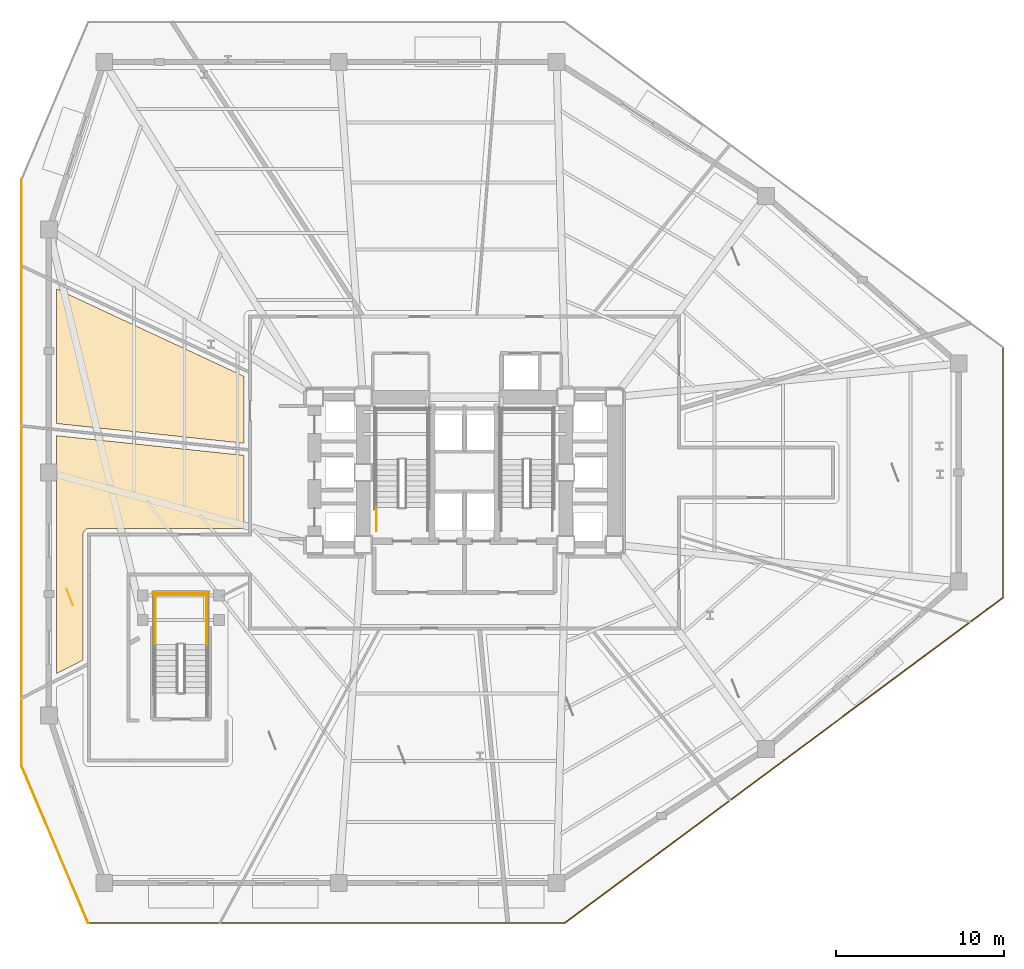
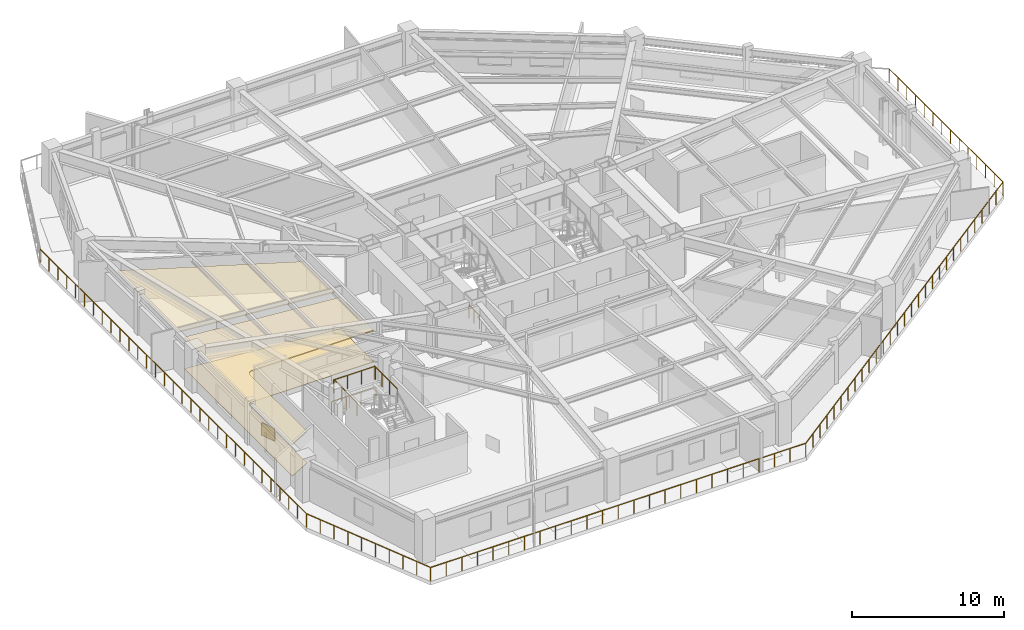
# One storey, part 8 of 10: 7 railings, 4 coverings.
"""IFC4 building model written with IfcOpenShell, lengths in metres."""

from ifc_helpers import new_model, si_unit, direction, frame, origin, origin_2d, place, context, subcontext, project, spatial, polyline, rectangle, outline, extrude, material, layer, layer_set, type_object, element, save


model = new_model("IFC4")

# Units and contexts
model_context = context("Model", 3, precision=1e-05, world=origin(), true_north=direction((0.0, 1.0)))
body_context = subcontext(model_context, "Body", "Model", "MODEL_VIEW")
ifc_project = project(units=[si_unit("LENGTHUNIT", "METRE"), si_unit("AREAUNIT", "SQUARE_METRE"), si_unit("VOLUMEUNIT", "CUBIC_METRE"), si_unit("PLANEANGLEUNIT", "RADIAN"), si_unit("MASSUNIT", "GRAM", prefix="KILO")], contexts=[model_context])

# Site, building, storey
site_placement = place(None, origin())
site = spatial("IfcSite", under=ifc_project, at=site_placement, CompositionType="ELEMENT")
building_placement = place(site_placement, origin())
building = spatial("IfcBuilding", under=site, at=building_placement, Name="Rocaltana Carrier Exchange", CompositionType="ELEMENT")
storey_placement = place(building_placement, frame((0.0, 0.0, 4.800048828125)))
storey = spatial("IfcBuildingStorey", under=building, at=storey_placement, Name="L02", CompositionType="ELEMENT", Elevation=4.800048828125)

# Coverings
ifc_material_1 = material(Name="Honed Bogota Sandstone Tile", Category="masonry")
ifc_layer_1 = layer(ifc_material_1, 0.0400390625)
ifc_layer_set_1 = layer_set([ifc_layer_1], Name="Honed Bogota Sandstone Tile")
covering_type_1 = type_object("IfcCoveringType", Name="Honed Stone Lobby Flooring 40", PredefinedType="FLOORING", material=ifc_layer_set_1)
covering_1_placement = place(storey_placement, origin())
element("IfcCovering", 1, at=covering_1_placement, inside=storey, type_object=covering_type_1, Name="L02 Carrier Peering Suite Finish Floor", PredefinedType="FLOORING", context=body_context, shape_type="SweptSolid", body=[
    extrude(outline(polyline([(-24.340087890625, 2.1962890625), (-13.159912109375, 1.021240234375), (-13.159912109375, -3.340087890625), (-22.39990234375, -3.340087890625), (-22.413818359375, -3.34033203125), (-22.421630859375, -3.3408203125), (-22.448974609375, -3.343505859375), (-22.456787109375, -3.344482421875), (-22.483642578125, -3.349853515625), (-22.4912109375, -3.351806640625), (-22.517578125, -3.35986328125), (-22.52490234375, -3.362548828125), (-22.55029296875, -3.373046875), (-22.557373046875, -3.376220703125), (-22.581787109375, -3.389404296875), (-22.58837890625, -3.393310546875), (-22.611083984375, -3.40869140625), (-22.617431640625, -3.413330078125), (-22.638916015625, -3.4306640625), (-22.64453125, -3.43603515625), (-22.6640625, -3.455322265625), (-22.669189453125, -3.461181640625), (-22.686767578125, -3.482421875), (-22.69140625, -3.48876953125), (-22.706787109375, -3.51171875), (-22.710693359375, -3.518310546875), (-22.7236328125, -3.54248046875), (-22.72705078125, -3.5498046875), (-22.737548828125, -3.5751953125), (-22.740234375, -3.58251953125), (-22.748291015625, -3.608642578125), (-22.75, -3.616455078125), (-22.75537109375, -3.643310546875), (-22.756591796875, -3.651123046875), (-22.75927734375, -3.678466796875), (-22.759765625, -3.686279296875), (-22.760009765625, -3.699951171875), (-22.760009765625, -11.19287109375), (-24.340087890625, -11.997802734375), (-24.340087890625, 2.1962890625)])), origin(), (0.0, 0.0, 1.0), 0.0400390625),
])
ifc_material_2 = material(Name="Anodised Aluminium 6063-T6", Category="aluminium")
ifc_layer_2 = layer(ifc_material_2, 0.0849609375)
ifc_layer_set_2 = layer_set([ifc_layer_2], Name="Anodised Aluminium 6063-T6")
covering_type_2 = type_object("IfcCoveringType", Name="Linear Baffle Acoustic Ceiling 85", PredefinedType="CEILING", material=ifc_layer_set_2)
covering_2_placement = place(storey_placement, frame((0.0, 0.0, 2.48291015625)))
element("IfcCovering", 2, at=covering_2_placement, inside=storey, type_object=covering_type_2, Name="L02 Carrier Peering Suite Acoustic Ceiling", PredefinedType="CEILING", context=body_context, shape_type="SweptSolid", body=[
    extrude(outline(polyline([(-24.340087890625, 2.1962890625), (-13.159912109375, 1.021240234375), (-13.159912109375, -3.340087890625), (-22.39990234375, -3.340087890625), (-22.413818359375, -3.34033203125), (-22.421630859375, -3.3408203125), (-22.448974609375, -3.343505859375), (-22.456787109375, -3.344482421875), (-22.483642578125, -3.349853515625), (-22.4912109375, -3.351806640625), (-22.517578125, -3.35986328125), (-22.52490234375, -3.362548828125), (-22.55029296875, -3.373046875), (-22.557373046875, -3.376220703125), (-22.581787109375, -3.389404296875), (-22.58837890625, -3.393310546875), (-22.611083984375, -3.40869140625), (-22.617431640625, -3.413330078125), (-22.638916015625, -3.4306640625), (-22.64453125, -3.43603515625), (-22.6640625, -3.455322265625), (-22.669189453125, -3.461181640625), (-22.686767578125, -3.482421875), (-22.69140625, -3.48876953125), (-22.706787109375, -3.51171875), (-22.710693359375, -3.518310546875), (-22.7236328125, -3.54248046875), (-22.72705078125, -3.5498046875), (-22.737548828125, -3.5751953125), (-22.740234375, -3.58251953125), (-22.748291015625, -3.608642578125), (-22.75, -3.616455078125), (-22.75537109375, -3.643310546875), (-22.756591796875, -3.651123046875), (-22.75927734375, -3.678466796875), (-22.759765625, -3.686279296875), (-22.760009765625, -3.699951171875), (-22.760009765625, -11.19287109375), (-24.340087890625, -11.997802734375), (-24.340087890625, 2.1962890625)])), origin(), (0.0, 0.0, 1.0), 0.0849609375),
])
covering_3_placement = place(storey_placement, frame((0.0, 0.0, 2.48291015625)))
element("IfcCovering", 3, at=covering_3_placement, inside=storey, type_object=covering_type_2, Name="L02 Carrier Peering Suite Acoustic Ceiling", PredefinedType="CEILING", context=body_context, shape_type="SweptSolid", body=[
    extrude(outline(polyline([(-24.340087890625, 10.95263671875), (-13.159912109375, 5.739501953125), (-13.159912109375, 1.7451171875), (-24.340087890625, 2.920166015625), (-24.340087890625, 10.95263671875)])), origin(), (0.0, 0.0, 1.0), 0.0849609375),
])

# Railings
ifc_material_3 = material(Name="Powder-Coated Aluminium 6063-T6", Category="aluminium")
ifc_layer_3 = layer(ifc_material_3, 0.048095703125)
ifc_layer_set_3 = layer_set([ifc_layer_3], Name="Powder-Coated Aluminium 6063-T6")
railing_type_1 = type_object("IfcRailingType", Name="Stair Well Guardrail 1100", PredefinedType="GUARDRAIL", material=ifc_layer_set_3)
railing_1_placement = place(storey_placement, frame((-5.25, -3.5, 0.0)))
element("IfcRailing", 4, at=railing_1_placement, inside=storey, type_object=railing_type_1, Name="L02 ST-1 stair guard 9", PredefinedType="GUARDRAIL", context=body_context, shape_type="SweptSolid", body=[
    extrude(rectangle(XDim=0.048095703125, YDim=0.048095703125, at=origin_2d()), frame((0.0, 0.0, 1.076171875), z_axis=(0.0, 1.0, 0.0), x_axis=(-1.0, 0.0, 0.0)), (0.0, 0.0, 1.0), 1.39990234375),
    extrude(rectangle(XDim=0.0419921875, YDim=0.0419921875, at=origin_2d()), origin(), (0.0, 0.0, 1.0), 1.052001953125),
    extrude(rectangle(XDim=0.0419921875, YDim=0.0419921875, at=origin_2d()), frame((0.0, 0.699951171875, 0.0)), (0.0, 0.0, 1.0), 1.052001953125),
    extrude(rectangle(XDim=0.0419921875, YDim=0.0419921875, at=origin_2d()), frame((0.0, 1.39990234375, 0.0)), (0.0, 0.0, 1.0), 1.052001953125),
])
for number, where, name in (
    (5, (-15.389892578125, -10.27001953125, 1.760009765625), "L02 ST-3 stair guard 3"),
    (6, (-18.449951171875, -10.27001953125, 1.760009765625), "L02 ST-3 stair guard 4"),
):
    element("IfcRailing", number, at=place(storey_placement, frame(where)), inside=storey, type_object=railing_type_1, Name=name, PredefinedType="GUARDRAIL", context=body_context, shape_type="SweptSolid", body=[
        extrude(rectangle(XDim=0.048095703125, YDim=0.048095703125, at=origin_2d()), frame((0.0, 0.0, 1.076171875), z_axis=(0.0, 1.0, 0.0), x_axis=(-1.0, 0.0, 0.0)), (0.0, 0.0, 1.0), 3.02001953125),
        extrude(rectangle(XDim=0.0419921875, YDim=0.0419921875, at=origin_2d()), origin(), (0.0, 0.0, 1.0), 1.052001953125),
        extrude(rectangle(XDim=0.0419921875, YDim=0.0419921875, at=origin_2d()), frame((0.0, 1.006591796875, 0.0)), (0.0, 0.0, 1.0), 1.052001953125),
        extrude(rectangle(XDim=0.0419921875, YDim=0.0419921875, at=origin_2d()), frame((0.0, 2.013427734375, 0.0)), (0.0, 0.0, 1.0), 1.052001953125),
        extrude(rectangle(XDim=0.0419921875, YDim=0.0419921875, at=origin_2d()), frame((0.0, 3.02001953125, 0.0)), (0.0, 0.0, 1.0), 1.052001953125),
    ])
railing_2_placement = place(storey_placement, frame((-15.340087890625, -7.300048828125, 1.760009765625)))
element("IfcRailing", 7, at=railing_2_placement, inside=storey, type_object=railing_type_1, Name="L02 ST-3 stair guard 5", PredefinedType="GUARDRAIL", context=body_context, shape_type="SweptSolid", body=[
    extrude(rectangle(XDim=0.048095703125, YDim=0.048095703125, at=origin_2d()), frame((0.0, 0.0, 1.076171875), z_axis=(-1.0, 0.0, 0.0), x_axis=(0.0, -1.0, 0.0)), (0.0, 0.0, 1.0), 3.159912109375),
    extrude(rectangle(XDim=0.0419921875, YDim=0.0419921875, at=origin_2d()), origin(), (0.0, 0.0, 1.0), 1.052001953125),
    extrude(rectangle(XDim=0.0419921875, YDim=0.0419921875, at=origin_2d()), frame((-1.05322265625, 0.0, 0.0)), (0.0, 0.0, 1.0), 1.052001953125),
    extrude(rectangle(XDim=0.0419921875, YDim=0.0419921875, at=origin_2d()), frame((-2.106689453125, 0.0, 0.0)), (0.0, 0.0, 1.0), 1.052001953125),
    extrude(rectangle(XDim=0.0419921875, YDim=0.0419921875, at=origin_2d()), frame((-3.159912109375, 0.0, 0.0)), (0.0, 0.0, 1.0), 1.052001953125),
])
railing_3_placement = place(storey_placement, frame((-15.239990234375, -7.199951171875, 0.0)))
element("IfcRailing", 8, at=railing_3_placement, inside=storey, type_object=railing_type_1, Name="L02 ST-3 stair guard 12", PredefinedType="GUARDRAIL", context=body_context, shape_type="SweptSolid", body=[
    extrude(rectangle(XDim=0.048095703125, YDim=0.048095703125, at=origin_2d()), frame((0.0, 0.0, 1.076171875), z_axis=(-1.0, 0.0, 0.0), x_axis=(0.0, -1.0, 0.0)), (0.0, 0.0, 1.0), 3.360107421875),
    extrude(rectangle(XDim=0.0419921875, YDim=0.0419921875, at=origin_2d()), origin(), (0.0, 0.0, 1.0), 1.052001953125),
    extrude(rectangle(XDim=0.0419921875, YDim=0.0419921875, at=origin_2d()), frame((-1.1201171875, 0.0, 0.0)), (0.0, 0.0, 1.0), 1.052001953125),
    extrude(rectangle(XDim=0.0419921875, YDim=0.0419921875, at=origin_2d()), frame((-2.239990234375, 0.0, 0.0)), (0.0, 0.0, 1.0), 1.052001953125),
    extrude(rectangle(XDim=0.0419921875, YDim=0.0419921875, at=origin_2d()), frame((-3.360107421875, 0.0, 0.0)), (0.0, 0.0, 1.0), 1.052001953125),
])

# Covering
ifc_material_4 = material(Name="Honed Piedra Muneca Sandstone", Category="masonry")
ifc_layer_4 = layer(ifc_material_4, 0.034912109375)
ifc_layer_set_4 = layer_set([ifc_layer_4], Name="Honed Piedra Muneca Sandstone")
covering_type_3 = type_object("IfcCoveringType", Name="Stone Facade Cladding 35", PredefinedType="CLADDING", material=ifc_layer_set_4)
covering_4_placement = place(storey_placement, frame((-23.550048828125, -7.4462890625, 0.0), z_axis=(0.0, 0.0, 1.0), x_axis=(-0.358367949545, 0.933580426497, 0.0)))
element("IfcCovering", 9, at=covering_4_placement, inside=storey, type_object=covering_type_3, Name="L02 Stone Facade Cladding Panel 1", PredefinedType="CLADDING", context=body_context, shape_type="SweptSolid", body=[
    extrude(rectangle(XDim=1.10009765625, YDim=0.034912109375, at=origin_2d()), origin(), (0.0, 0.0, 1.0), 1.050048828125),
])

# Railings
ifc_material_5 = material(Name="Powder-Coated Aluminium 6063-T6", Category="aluminium")
ifc_layer_5 = layer(ifc_material_5, 0.06005859375)
ifc_layer_set_5 = layer_set([ifc_layer_5], Name="Powder-Coated Aluminium 6063-T6")
railing_type_2 = type_object("IfcRailingType", Name="Wind-Floor & Terrace Perimeter Guardrail 1100", PredefinedType="GUARDRAIL", material=ifc_layer_set_5)
railing_4_placement = place(storey_placement, frame((-22.460205078125, -26.889892578125, 0.0)))
element("IfcRailing", 10, at=railing_4_placement, inside=storey, type_object=railing_type_2, Name="L02 Perimeter Balcony Guardrail 1", PredefinedType="GUARDRAIL", context=body_context, shape_type="SweptSolid", body=[
    extrude(rectangle(XDim=0.048095703125, YDim=0.048095703125, at=origin_2d()), frame((0.0, 0.0, 1.076171875), z_axis=(-0.389799902601, 0.920899579722, 0.0), x_axis=(-0.920899579722, -0.389799902601, 0.0)), (0.0, 0.0, 1.0), 10.209716796875),
    extrude(rectangle(XDim=0.048095703125, YDim=0.048095703125, at=origin_2d()), frame((-3.979736328125, 9.402099609375, 1.076171875), z_axis=(0.0, 1.0, 0.0), x_axis=(-1.0, 0.0, 0.0)), (0.0, 0.0, 1.0), 34.9755859375),
    extrude(rectangle(XDim=0.0419921875, YDim=0.0419921875, at=origin_2d()), origin(), (0.0, 0.0, 1.0), 1.052001953125),
    extrude(rectangle(XDim=0.0419921875, YDim=0.0419921875, at=origin_2d()), frame((-0.442138671875, 1.044677734375, 0.0)), (0.0, 0.0, 1.0), 1.052001953125),
    extrude(rectangle(XDim=0.0419921875, YDim=0.0419921875, at=origin_2d()), frame((-0.88427734375, 2.08935546875, 0.0)), (0.0, 0.0, 1.0), 1.052001953125),
    extrude(rectangle(XDim=0.0419921875, YDim=0.0419921875, at=origin_2d()), frame((-1.32666015625, 3.134033203125, 0.0)), (0.0, 0.0, 1.0), 1.052001953125),
    extrude(rectangle(XDim=0.0419921875, YDim=0.0419921875, at=origin_2d()), frame((-1.768798828125, 4.1787109375, 0.0)), (0.0, 0.0, 1.0), 1.052001953125),
    extrude(rectangle(XDim=0.0419921875, YDim=0.0419921875, at=origin_2d()), frame((-2.2109375, 5.223388671875, 0.0)), (0.0, 0.0, 1.0), 1.052001953125),
    extrude(rectangle(XDim=0.0419921875, YDim=0.0419921875, at=origin_2d()), frame((-2.653076171875, 6.26806640625, 0.0)), (0.0, 0.0, 1.0), 1.052001953125),
    extrude(rectangle(XDim=0.0419921875, YDim=0.0419921875, at=origin_2d()), frame((-3.095458984375, 7.312744140625, 0.0)), (0.0, 0.0, 1.0), 1.052001953125),
    extrude(rectangle(XDim=0.0419921875, YDim=0.0419921875, at=origin_2d()), frame((-3.53759765625, 8.357421875, 0.0)), (0.0, 0.0, 1.0), 1.052001953125),
    extrude(rectangle(XDim=0.0419921875, YDim=0.0419921875, at=origin_2d()), frame((-3.979736328125, 9.402099609375, 0.0)), (0.0, 0.0, 1.0), 1.052001953125),
    extrude(rectangle(XDim=0.0419921875, YDim=0.0419921875, at=origin_2d()), frame((-3.979736328125, 10.56787109375, 0.0)), (0.0, 0.0, 1.0), 1.052001953125),
    extrude(rectangle(XDim=0.0419921875, YDim=0.0419921875, at=origin_2d()), frame((-3.979736328125, 11.73388671875, 0.0)), (0.0, 0.0, 1.0), 1.052001953125),
    extrude(rectangle(XDim=0.0419921875, YDim=0.0419921875, at=origin_2d()), frame((-3.979736328125, 12.899658203125, 0.0)), (0.0, 0.0, 1.0), 1.052001953125),
    extrude(rectangle(XDim=0.0419921875, YDim=0.0419921875, at=origin_2d()), frame((-3.979736328125, 14.0654296875, 0.0)), (0.0, 0.0, 1.0), 1.052001953125),
    extrude(rectangle(XDim=0.0419921875, YDim=0.0419921875, at=origin_2d()), frame((-3.979736328125, 15.2314453125, 0.0)), (0.0, 0.0, 1.0), 1.052001953125),
    extrude(rectangle(XDim=0.0419921875, YDim=0.0419921875, at=origin_2d()), frame((-3.979736328125, 16.397216796875, 0.0)), (0.0, 0.0, 1.0), 1.052001953125),
    extrude(rectangle(XDim=0.0419921875, YDim=0.0419921875, at=origin_2d()), frame((-3.979736328125, 17.56298828125, 0.0)), (0.0, 0.0, 1.0), 1.052001953125),
    extrude(rectangle(XDim=0.0419921875, YDim=0.0419921875, at=origin_2d()), frame((-3.979736328125, 18.72900390625, 0.0)), (0.0, 0.0, 1.0), 1.052001953125),
    extrude(rectangle(XDim=0.0419921875, YDim=0.0419921875, at=origin_2d()), frame((-3.979736328125, 19.894775390625, 0.0)), (0.0, 0.0, 1.0), 1.052001953125),
    extrude(rectangle(XDim=0.0419921875, YDim=0.0419921875, at=origin_2d()), frame((-3.979736328125, 21.060546875, 0.0)), (0.0, 0.0, 1.0), 1.052001953125),
    extrude(rectangle(XDim=0.0419921875, YDim=0.0419921875, at=origin_2d()), frame((-3.979736328125, 22.2265625, 0.0)), (0.0, 0.0, 1.0), 1.052001953125),
    extrude(rectangle(XDim=0.0419921875, YDim=0.0419921875, at=origin_2d()), frame((-3.979736328125, 23.392333984375, 0.0)), (0.0, 0.0, 1.0), 1.052001953125),
    extrude(rectangle(XDim=0.0419921875, YDim=0.0419921875, at=origin_2d()), frame((-3.979736328125, 24.55810546875, 0.0)), (0.0, 0.0, 1.0), 1.052001953125),
    extrude(rectangle(XDim=0.0419921875, YDim=0.0419921875, at=origin_2d()), frame((-3.979736328125, 25.72412109375, 0.0)), (0.0, 0.0, 1.0), 1.052001953125),
    extrude(rectangle(XDim=0.0419921875, YDim=0.0419921875, at=origin_2d()), frame((-3.979736328125, 26.889892578125, 0.0)), (0.0, 0.0, 1.0), 1.052001953125),
    extrude(rectangle(XDim=0.0419921875, YDim=0.0419921875, at=origin_2d()), frame((-3.979736328125, 28.0556640625, 0.0)), (0.0, 0.0, 1.0), 1.052001953125),
    extrude(rectangle(XDim=0.0419921875, YDim=0.0419921875, at=origin_2d()), frame((-3.979736328125, 29.2216796875, 0.0)), (0.0, 0.0, 1.0), 1.052001953125),
    extrude(rectangle(XDim=0.0419921875, YDim=0.0419921875, at=origin_2d()), frame((-3.979736328125, 30.387451171875, 0.0)), (0.0, 0.0, 1.0), 1.052001953125),
    extrude(rectangle(XDim=0.0419921875, YDim=0.0419921875, at=origin_2d()), frame((-3.979736328125, 31.55322265625, 0.0)), (0.0, 0.0, 1.0), 1.052001953125),
    extrude(rectangle(XDim=0.0419921875, YDim=0.0419921875, at=origin_2d()), frame((-3.979736328125, 32.71923828125, 0.0)), (0.0, 0.0, 1.0), 1.052001953125),
    extrude(rectangle(XDim=0.0419921875, YDim=0.0419921875, at=origin_2d()), frame((-3.979736328125, 33.885009765625, 0.0)), (0.0, 0.0, 1.0), 1.052001953125),
    extrude(rectangle(XDim=0.0419921875, YDim=0.0419921875, at=origin_2d()), frame((-3.979736328125, 35.05078125, 0.0)), (0.0, 0.0, 1.0), 1.052001953125),
    extrude(rectangle(XDim=0.0419921875, YDim=0.0419921875, at=origin_2d()), frame((-3.979736328125, 36.216796875, 0.0)), (0.0, 0.0, 1.0), 1.052001953125),
    extrude(rectangle(XDim=0.0419921875, YDim=0.0419921875, at=origin_2d()), frame((-3.979736328125, 37.382568359375, 0.0)), (0.0, 0.0, 1.0), 1.052001953125),
    extrude(rectangle(XDim=0.0419921875, YDim=0.0419921875, at=origin_2d()), frame((-3.979736328125, 38.54833984375, 0.0)), (0.0, 0.0, 1.0), 1.052001953125),
    extrude(rectangle(XDim=0.0419921875, YDim=0.0419921875, at=origin_2d()), frame((-3.979736328125, 39.71435546875, 0.0)), (0.0, 0.0, 1.0), 1.052001953125),
    extrude(rectangle(XDim=0.0419921875, YDim=0.0419921875, at=origin_2d()), frame((-3.979736328125, 40.880126953125, 0.0)), (0.0, 0.0, 1.0), 1.052001953125),
    extrude(rectangle(XDim=0.0419921875, YDim=0.0419921875, at=origin_2d()), frame((-3.979736328125, 42.0458984375, 0.0)), (0.0, 0.0, 1.0), 1.052001953125),
    extrude(rectangle(XDim=0.0419921875, YDim=0.0419921875, at=origin_2d()), frame((-3.979736328125, 43.2119140625, 0.0)), (0.0, 0.0, 1.0), 1.052001953125),
    extrude(rectangle(XDim=0.0419921875, YDim=0.0419921875, at=origin_2d()), frame((-3.979736328125, 44.377685546875, 0.0)), (0.0, 0.0, 1.0), 1.052001953125),
])
railing_5_placement = place(storey_placement, frame((32.139892578125, 7.4697265625, 0.0)))
element("IfcRailing", 11, at=railing_5_placement, inside=storey, type_object=railing_type_2, Name="L02 Perimeter Balcony Guardrail 3", PredefinedType="GUARDRAIL", context=body_context, shape_type="SweptSolid", body=[
    extrude(rectangle(XDim=0.048095703125, YDim=0.048095703125, at=origin_2d()), frame((0.0, 0.0, 1.076171875), z_axis=(0.0, -1.0, 0.0), x_axis=(1.0, 0.0, 0.0)), (0.0, 0.0, 1.0), 14.939453125),
    extrude(rectangle(XDim=0.048095703125, YDim=0.048095703125, at=origin_2d()), frame((0.0, -14.939453125, 1.076171875), z_axis=(-0.802930850868, -0.596072184156, 0.0), x_axis=(0.596072184156, -0.802930850868, 0.0)), (0.0, 0.0, 1.0), 32.580322265625),
    extrude(rectangle(XDim=0.048095703125, YDim=0.048095703125, at=origin_2d()), frame((-26.15966796875, -34.359619140625, 1.076171875), z_axis=(-1.0, 0.0, 0.0), x_axis=(0.0, -1.0, 0.0)), (0.0, 0.0, 1.0), 28.4404296875),
    extrude(rectangle(XDim=0.0419921875, YDim=0.0419921875, at=origin_2d()), origin(), (0.0, 0.0, 1.0), 1.052001953125),
    extrude(rectangle(XDim=0.0419921875, YDim=0.0419921875, at=origin_2d()), frame((0.0, -1.149169921875, 0.0)), (0.0, 0.0, 1.0), 1.052001953125),
    extrude(rectangle(XDim=0.0419921875, YDim=0.0419921875, at=origin_2d()), frame((0.0, -2.29833984375, 0.0)), (0.0, 0.0, 1.0), 1.052001953125),
    extrude(rectangle(XDim=0.0419921875, YDim=0.0419921875, at=origin_2d()), frame((0.0, -3.447509765625, 0.0)), (0.0, 0.0, 1.0), 1.052001953125),
    extrude(rectangle(XDim=0.0419921875, YDim=0.0419921875, at=origin_2d()), frame((0.0, -4.5966796875, 0.0)), (0.0, 0.0, 1.0), 1.052001953125),
    extrude(rectangle(XDim=0.0419921875, YDim=0.0419921875, at=origin_2d()), frame((0.0, -5.745849609375, 0.0)), (0.0, 0.0, 1.0), 1.052001953125),
    extrude(rectangle(XDim=0.0419921875, YDim=0.0419921875, at=origin_2d()), frame((0.0, -6.89501953125, 0.0)), (0.0, 0.0, 1.0), 1.052001953125),
    extrude(rectangle(XDim=0.0419921875, YDim=0.0419921875, at=origin_2d()), frame((0.0, -8.04443359375, 0.0)), (0.0, 0.0, 1.0), 1.052001953125),
    extrude(rectangle(XDim=0.0419921875, YDim=0.0419921875, at=origin_2d()), frame((0.0, -9.193603515625, 0.0)), (0.0, 0.0, 1.0), 1.052001953125),
    extrude(rectangle(XDim=0.0419921875, YDim=0.0419921875, at=origin_2d()), frame((0.0, -10.3427734375, 0.0)), (0.0, 0.0, 1.0), 1.052001953125),
    extrude(rectangle(XDim=0.0419921875, YDim=0.0419921875, at=origin_2d()), frame((0.0, -11.491943359375, 0.0)), (0.0, 0.0, 1.0), 1.052001953125),
    extrude(rectangle(XDim=0.0419921875, YDim=0.0419921875, at=origin_2d()), frame((0.0, -12.64111328125, 0.0)), (0.0, 0.0, 1.0), 1.052001953125),
    extrude(rectangle(XDim=0.0419921875, YDim=0.0419921875, at=origin_2d()), frame((0.0, -13.790283203125, 0.0)), (0.0, 0.0, 1.0), 1.052001953125),
    extrude(rectangle(XDim=0.0419921875, YDim=0.0419921875, at=origin_2d()), frame((0.0, -14.939453125, 0.0)), (0.0, 0.0, 1.0), 1.052001953125),
    extrude(rectangle(XDim=0.0419921875, YDim=0.0419921875, at=origin_2d()), frame((-0.934326171875, -15.633056640625, 0.0)), (0.0, 0.0, 1.0), 1.052001953125),
    extrude(rectangle(XDim=0.0419921875, YDim=0.0419921875, at=origin_2d()), frame((-1.86865234375, -16.32666015625, 0.0)), (0.0, 0.0, 1.0), 1.052001953125),
    extrude(rectangle(XDim=0.0419921875, YDim=0.0419921875, at=origin_2d()), frame((-2.802734375, -17.020263671875, 0.0)), (0.0, 0.0, 1.0), 1.052001953125),
    extrude(rectangle(XDim=0.0419921875, YDim=0.0419921875, at=origin_2d()), frame((-3.737060546875, -17.7138671875, 0.0)), (0.0, 0.0, 1.0), 1.052001953125),
    extrude(rectangle(XDim=0.0419921875, YDim=0.0419921875, at=origin_2d()), frame((-4.67138671875, -18.4072265625, 0.0)), (0.0, 0.0, 1.0), 1.052001953125),
    extrude(rectangle(XDim=0.0419921875, YDim=0.0419921875, at=origin_2d()), frame((-5.605712890625, -19.100830078125, 0.0)), (0.0, 0.0, 1.0), 1.052001953125),
    extrude(rectangle(XDim=0.0419921875, YDim=0.0419921875, at=origin_2d()), frame((-6.5400390625, -19.79443359375, 0.0)), (0.0, 0.0, 1.0), 1.052001953125),
    extrude(rectangle(XDim=0.0419921875, YDim=0.0419921875, at=origin_2d()), frame((-7.47412109375, -20.488037109375, 0.0)), (0.0, 0.0, 1.0), 1.052001953125),
    extrude(rectangle(XDim=0.0419921875, YDim=0.0419921875, at=origin_2d()), frame((-8.408447265625, -21.181640625, 0.0)), (0.0, 0.0, 1.0), 1.052001953125),
    extrude(rectangle(XDim=0.0419921875, YDim=0.0419921875, at=origin_2d()), frame((-9.3427734375, -21.875244140625, 0.0)), (0.0, 0.0, 1.0), 1.052001953125),
    extrude(rectangle(XDim=0.0419921875, YDim=0.0419921875, at=origin_2d()), frame((-10.277099609375, -22.56884765625, 0.0)), (0.0, 0.0, 1.0), 1.052001953125),
    extrude(rectangle(XDim=0.0419921875, YDim=0.0419921875, at=origin_2d()), frame((-11.211181640625, -23.262451171875, 0.0)), (0.0, 0.0, 1.0), 1.052001953125),
    extrude(rectangle(XDim=0.0419921875, YDim=0.0419921875, at=origin_2d()), frame((-12.1455078125, -23.9560546875, 0.0)), (0.0, 0.0, 1.0), 1.052001953125),
    extrude(rectangle(XDim=0.0419921875, YDim=0.0419921875, at=origin_2d()), frame((-13.079833984375, -24.6494140625, 0.0)), (0.0, 0.0, 1.0), 1.052001953125),
    extrude(rectangle(XDim=0.0419921875, YDim=0.0419921875, at=origin_2d()), frame((-14.01416015625, -25.343017578125, 0.0)), (0.0, 0.0, 1.0), 1.052001953125),
    extrude(rectangle(XDim=0.0419921875, YDim=0.0419921875, at=origin_2d()), frame((-14.948486328125, -26.03662109375, 0.0)), (0.0, 0.0, 1.0), 1.052001953125),
    extrude(rectangle(XDim=0.0419921875, YDim=0.0419921875, at=origin_2d()), frame((-15.882568359375, -26.730224609375, 0.0)), (0.0, 0.0, 1.0), 1.052001953125),
    extrude(rectangle(XDim=0.0419921875, YDim=0.0419921875, at=origin_2d()), frame((-16.81689453125, -27.423828125, 0.0)), (0.0, 0.0, 1.0), 1.052001953125),
    extrude(rectangle(XDim=0.0419921875, YDim=0.0419921875, at=origin_2d()), frame((-17.751220703125, -28.117431640625, 0.0)), (0.0, 0.0, 1.0), 1.052001953125),
    extrude(rectangle(XDim=0.0419921875, YDim=0.0419921875, at=origin_2d()), frame((-18.685546875, -28.81103515625, 0.0)), (0.0, 0.0, 1.0), 1.052001953125),
    extrude(rectangle(XDim=0.0419921875, YDim=0.0419921875, at=origin_2d()), frame((-19.61962890625, -29.504638671875, 0.0)), (0.0, 0.0, 1.0), 1.052001953125),
    extrude(rectangle(XDim=0.0419921875, YDim=0.0419921875, at=origin_2d()), frame((-20.553955078125, -30.1982421875, 0.0)), (0.0, 0.0, 1.0), 1.052001953125),
    extrude(rectangle(XDim=0.0419921875, YDim=0.0419921875, at=origin_2d()), frame((-21.48828125, -30.891845703125, 0.0)), (0.0, 0.0, 1.0), 1.052001953125),
    extrude(rectangle(XDim=0.0419921875, YDim=0.0419921875, at=origin_2d()), frame((-22.422607421875, -31.585205078125, 0.0)), (0.0, 0.0, 1.0), 1.052001953125),
    extrude(rectangle(XDim=0.0419921875, YDim=0.0419921875, at=origin_2d()), frame((-23.35693359375, -32.27880859375, 0.0)), (0.0, 0.0, 1.0), 1.052001953125),
    extrude(rectangle(XDim=0.0419921875, YDim=0.0419921875, at=origin_2d()), frame((-24.291015625, -32.972412109375, 0.0)), (0.0, 0.0, 1.0), 1.052001953125),
    extrude(rectangle(XDim=0.0419921875, YDim=0.0419921875, at=origin_2d()), frame((-25.225341796875, -33.666015625, 0.0)), (0.0, 0.0, 1.0), 1.052001953125),
    extrude(rectangle(XDim=0.0419921875, YDim=0.0419921875, at=origin_2d()), frame((-26.15966796875, -34.359619140625, 0.0)), (0.0, 0.0, 1.0), 1.052001953125),
    extrude(rectangle(XDim=0.0419921875, YDim=0.0419921875, at=origin_2d()), frame((-27.3447265625, -34.359619140625, 0.0)), (0.0, 0.0, 1.0), 1.052001953125),
    extrude(rectangle(XDim=0.0419921875, YDim=0.0419921875, at=origin_2d()), frame((-28.52978515625, -34.359619140625, 0.0)), (0.0, 0.0, 1.0), 1.052001953125),
    extrude(rectangle(XDim=0.0419921875, YDim=0.0419921875, at=origin_2d()), frame((-29.71484375, -34.359619140625, 0.0)), (0.0, 0.0, 1.0), 1.052001953125),
    extrude(rectangle(XDim=0.0419921875, YDim=0.0419921875, at=origin_2d()), frame((-30.899658203125, -34.359619140625, 0.0)), (0.0, 0.0, 1.0), 1.052001953125),
    extrude(rectangle(XDim=0.0419921875, YDim=0.0419921875, at=origin_2d()), frame((-32.084716796875, -34.359619140625, 0.0)), (0.0, 0.0, 1.0), 1.052001953125),
    extrude(rectangle(XDim=0.0419921875, YDim=0.0419921875, at=origin_2d()), frame((-33.269775390625, -34.359619140625, 0.0)), (0.0, 0.0, 1.0), 1.052001953125),
    extrude(rectangle(XDim=0.0419921875, YDim=0.0419921875, at=origin_2d()), frame((-34.454833984375, -34.359619140625, 0.0)), (0.0, 0.0, 1.0), 1.052001953125),
    extrude(rectangle(XDim=0.0419921875, YDim=0.0419921875, at=origin_2d()), frame((-35.639892578125, -34.359619140625, 0.0)), (0.0, 0.0, 1.0), 1.052001953125),
    extrude(rectangle(XDim=0.0419921875, YDim=0.0419921875, at=origin_2d()), frame((-36.82470703125, -34.359619140625, 0.0)), (0.0, 0.0, 1.0), 1.052001953125),
    extrude(rectangle(XDim=0.0419921875, YDim=0.0419921875, at=origin_2d()), frame((-38.009765625, -34.359619140625, 0.0)), (0.0, 0.0, 1.0), 1.052001953125),
    extrude(rectangle(XDim=0.0419921875, YDim=0.0419921875, at=origin_2d()), frame((-39.19482421875, -34.359619140625, 0.0)), (0.0, 0.0, 1.0), 1.052001953125),
    extrude(rectangle(XDim=0.0419921875, YDim=0.0419921875, at=origin_2d()), frame((-40.3798828125, -34.359619140625, 0.0)), (0.0, 0.0, 1.0), 1.052001953125),
    extrude(rectangle(XDim=0.0419921875, YDim=0.0419921875, at=origin_2d()), frame((-41.56494140625, -34.359619140625, 0.0)), (0.0, 0.0, 1.0), 1.052001953125),
    extrude(rectangle(XDim=0.0419921875, YDim=0.0419921875, at=origin_2d()), frame((-42.75, -34.359619140625, 0.0)), (0.0, 0.0, 1.0), 1.052001953125),
    extrude(rectangle(XDim=0.0419921875, YDim=0.0419921875, at=origin_2d()), frame((-43.93505859375, -34.359619140625, 0.0)), (0.0, 0.0, 1.0), 1.052001953125),
    extrude(rectangle(XDim=0.0419921875, YDim=0.0419921875, at=origin_2d()), frame((-45.119873046875, -34.359619140625, 0.0)), (0.0, 0.0, 1.0), 1.052001953125),
    extrude(rectangle(XDim=0.0419921875, YDim=0.0419921875, at=origin_2d()), frame((-46.304931640625, -34.359619140625, 0.0)), (0.0, 0.0, 1.0), 1.052001953125),
    extrude(rectangle(XDim=0.0419921875, YDim=0.0419921875, at=origin_2d()), frame((-47.489990234375, -34.359619140625, 0.0)), (0.0, 0.0, 1.0), 1.052001953125),
    extrude(rectangle(XDim=0.0419921875, YDim=0.0419921875, at=origin_2d()), frame((-48.675048828125, -34.359619140625, 0.0)), (0.0, 0.0, 1.0), 1.052001953125),
    extrude(rectangle(XDim=0.0419921875, YDim=0.0419921875, at=origin_2d()), frame((-49.860107421875, -34.359619140625, 0.0)), (0.0, 0.0, 1.0), 1.052001953125),
    extrude(rectangle(XDim=0.0419921875, YDim=0.0419921875, at=origin_2d()), frame((-51.044921875, -34.359619140625, 0.0)), (0.0, 0.0, 1.0), 1.052001953125),
    extrude(rectangle(XDim=0.0419921875, YDim=0.0419921875, at=origin_2d()), frame((-52.22998046875, -34.359619140625, 0.0)), (0.0, 0.0, 1.0), 1.052001953125),
    extrude(rectangle(XDim=0.0419921875, YDim=0.0419921875, at=origin_2d()), frame((-53.4150390625, -34.359619140625, 0.0)), (0.0, 0.0, 1.0), 1.052001953125),
    extrude(rectangle(XDim=0.0419921875, YDim=0.0419921875, at=origin_2d()), frame((-54.60009765625, -34.359619140625, 0.0)), (0.0, 0.0, 1.0), 1.052001953125),
])

save(model, "model.ifc")
